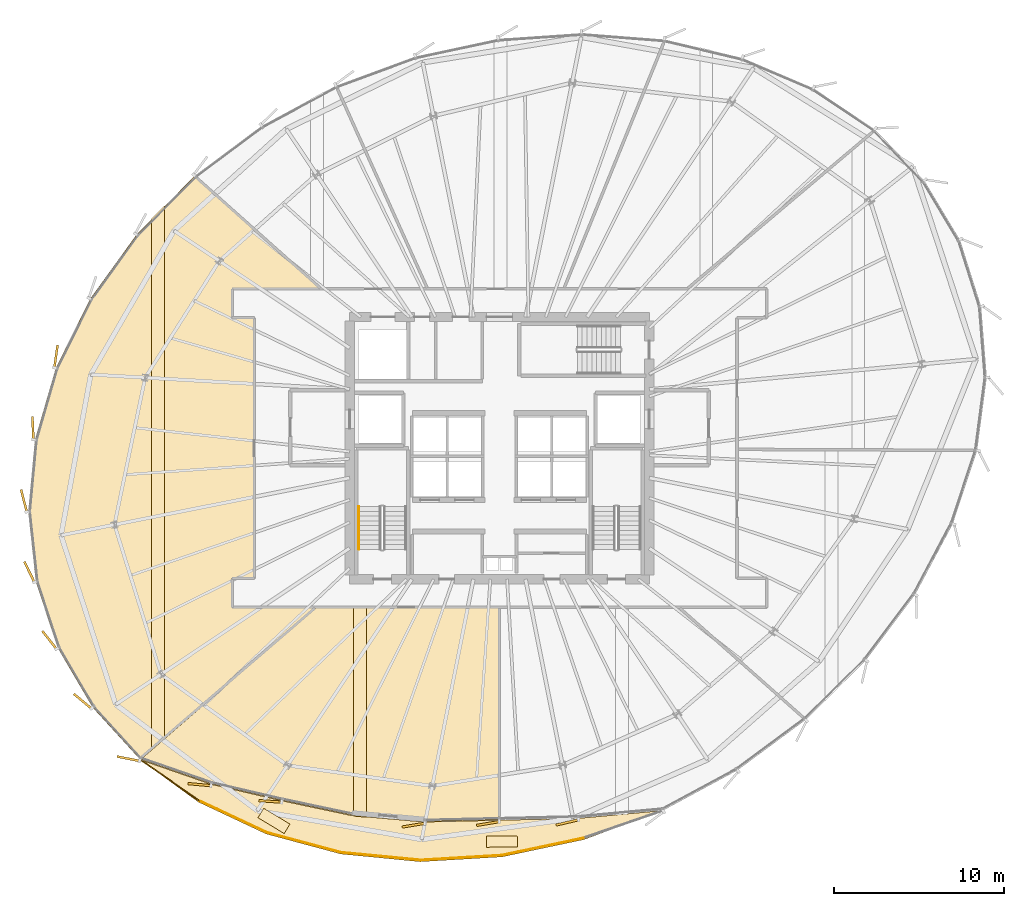
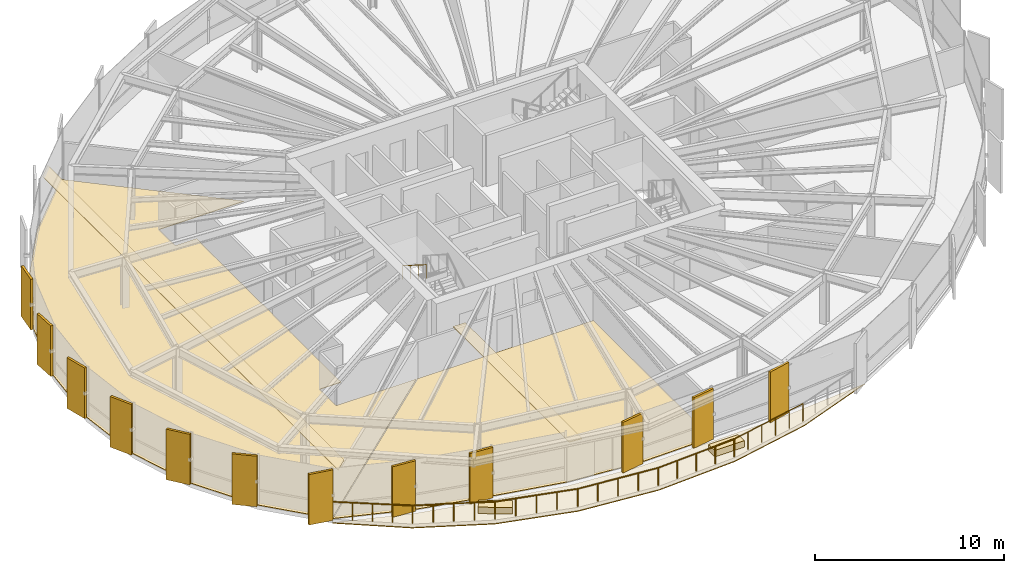
# One storey, part 34 of 37: 19 coverings, 7 railings.
"""IFC4 building model written with IfcOpenShell, lengths in metres."""

from ifc_helpers import new_model, si_unit, direction, frame, origin, origin_2d, place, context, subcontext, project, spatial, polyline, rectangle, circle, outline, extrude, source, transform, mapped, material, layer, layer_set, type_object, element, save


model = new_model("IFC4")

# Units and contexts
model_context = context("Model", 3, precision=1e-05, world=origin(), true_north=direction((0.0, 1.0)))
body_context = subcontext(model_context, "Body", "Model", "MODEL_VIEW")
ifc_project = project(units=[si_unit("LENGTHUNIT", "METRE"), si_unit("AREAUNIT", "SQUARE_METRE"), si_unit("VOLUMEUNIT", "CUBIC_METRE"), si_unit("PLANEANGLEUNIT", "RADIAN"), si_unit("MASSUNIT", "GRAM", prefix="KILO"), si_unit("THERMODYNAMICTEMPERATUREUNIT", "KELVIN")], contexts=[model_context])

# Site, building, storey
site_placement = place(None, origin())
site = spatial("IfcSite", under=ifc_project, at=site_placement, CompositionType="ELEMENT")
building_placement = place(site_placement, origin())
building = spatial("IfcBuilding", under=site, at=building_placement, Name="Kethvar Cultural Tower", CompositionType="ELEMENT")
storey_placement = place(building_placement, frame((0.0, 0.0, 132.35009765625)))
storey = spatial("IfcBuildingStorey", under=building, at=storey_placement, Name="L33", CompositionType="ELEMENT", Elevation=132.35009765625)

# Coverings
ifc_material_1 = material(Name="Acoustic Mineral Fibre Ceiling")
ifc_layer_1 = layer(ifc_material_1, 0.0400390625, Name="Acoustic Mineral Fibre Ceiling")
ifc_layer_set_1 = layer_set([ifc_layer_1], Name="Acoustic Mineral Fibre Ceiling (40 mm)")
covering_type_1 = type_object("IfcCoveringType", Name="CV-ACOUSTIC-CEIL", PredefinedType="CEILING", material=ifc_layer_set_1)
covering_1_placement = place(storey_placement, frame((0.0, 0.0, 2.559814453125)))
element("IfcCovering", 1, at=covering_1_placement, inside=storey, type_object=covering_type_1, Name="L33 Room 01 Acoustic Ceiling Panel", PredefinedType="CEILING", context=body_context, shape_type="SweptSolid", body=[
    extrude(outline(polyline([(38.2265625, 6.189453125), (38.2265625, 18.469970703125), (38.9765625, 18.469970703125), (38.9765625, 6.122802734375), (38.2265625, 6.189453125)])), origin(), (0.0, 0.0, 1.0), 0.0400390625),
])
covering_2_placement = place(storey_placement, frame((0.0, 0.0, 2.559814453125)))
element("IfcCovering", 2, at=covering_2_placement, inside=storey, type_object=covering_type_1, Name="L33 Room 08 Acoustic Ceiling Panel", PredefinedType="CEILING", context=body_context, shape_type="SweptSolid", body=[
    extrude(outline(polyline([(27.1123046875, 42.0322265625), (27.1123046875, 10.71142578125), (26.3623046875, 10.061279296875), (26.3623046875, 41.2763671875), (27.1123046875, 42.0322265625)])), origin(), (0.0, 0.0, 1.0), 0.0400390625),
])
ifc_material_2 = material(Name="Insulated Waterproofing Membrane")
ifc_layer_2 = layer(ifc_material_2, 0.06005859375, Name="Insulated Waterproofing Membrane")
ifc_layer_set_2 = layer_set([ifc_layer_2], Name="Insulated Waterproofing Membrane (60 mm)")
covering_type_2 = type_object("IfcCoveringType", Name="CV-ROOF-MEMB", PredefinedType="ROOFING", material=ifc_layer_set_2)
covering_3_placement = place(storey_placement, frame((0.0, 0.0, -0.275146484375)))
element("IfcCovering", 3, at=covering_3_placement, inside=storey, type_object=covering_type_2, Name="L33 Terrace Waterproofing", PredefinedType="ROOFING", context=body_context, shape_type="SweptSolid", body=[
    extrude(outline(polyline([(25.68701171875, 9.502685546875), (29.118408203125, 7.00341796875), (33.0869140625, 5.13623046875), (37.471923828125, 3.95751953125), (42.140380859375, 3.50341796875), (46.95068359375, 3.78759765625), (51.756103515625, 4.80126953125), (56.4111328125, 6.513671875), (51.43701171875, 6.0537109375), (46.78857421875, 5.943603515625), (42.373779296875, 5.841796875), (38.10791015625, 6.219970703125), (34.0244140625, 7.08447265625), (29.87255859375, 8.052978515625), (25.68701171875, 9.502685546875)])), origin(), (0.0, 0.0, 1.0), 0.06005859375),
])
ifc_material_3 = material(Name="Honed Warm Limestone", Category="masonry")
ifc_layer_3 = layer(ifc_material_3, 0.030029296875, Name="Honed Warm Limestone", Category="masonry")
ifc_layer_set_3 = layer_set([ifc_layer_3], Name="Honed Warm Limestone (30 mm)")
covering_type_3 = type_object("IfcCoveringType", Name="CV-STONE-FLOOR", PredefinedType="FLOORING", material=ifc_layer_set_3)
covering_4_placement = place(storey_placement, origin())
element("IfcCovering", 4, at=covering_4_placement, inside=storey, type_object=covering_type_3, Name="L33 Room 01 Floor Finish", PredefinedType="FLOORING", context=body_context, shape_type="SweptSolid", body=[
    extrude(outline(polyline([(42.37451171875, 5.86181640625), (38.11083984375, 6.23974609375), (34.02880859375, 7.10400390625), (29.878173828125, 8.072265625), (25.726318359375, 9.51025390625), (36.018798828125, 18.429931640625), (46.775146484375, 18.429931640625), (46.7685546875, 5.962890625), (42.37451171875, 5.86181640625)])), origin(), (0.0, 0.0, 1.0), 0.02978515625),
])
covering_5_placement = place(storey_placement, origin())
element("IfcCovering", 5, at=covering_5_placement, inside=storey, type_object=covering_type_3, Name="L33 Room 08 Floor Finish", PredefinedType="FLOORING", context=body_context, shape_type="SweptSolid", body=[
    extrude(outline(polyline([(22.91357421875, 12.569580078125), (20.852294921875, 16.084228515625), (19.5791015625, 19.95458984375), (19.1328125, 24.0634765625), (19.52685546875, 28.285888671875), (20.74951171875, 32.494140625), (22.763916015625, 36.559814453125), (25.5087890625, 40.359375), (28.888427734375, 43.76513671875), (36.275390625, 37.169921875), (31.080078125, 37.14990234375), (31.08447265625, 35.437255859375), (32.3798828125, 35.429931640625), (32.3798828125, 20.169921875), (31.08447265625, 20.16259765625), (31.080810546875, 18.444091796875), (35.957763671875, 18.429931640625), (25.688720703125, 9.530517578125), (22.91357421875, 12.569580078125)])), origin(), (0.0, 0.0, 1.0), 0.02978515625),
])

# Railings
ifc_material_4 = material(Name="Steel S355J2", Category="steel")
railing_type_1 = type_object("IfcRailingType", Name="RL-EXT-GUARD-1150", PredefinedType="BALUSTRADE", material=ifc_material_4)
railing_1_placement = place(storey_placement, frame((25.68701171875, 9.502685546875, 0.0)))
element("IfcRailing", 6, at=railing_1_placement, inside=storey, type_object=railing_type_1, Name="L33 Spiralling Terrace Balustrade 01", PredefinedType="BALUSTRADE", context=body_context, shape_type="SweptSolid", body=[
    extrude(circle(Radius=0.02392578125, at=origin_2d()), frame((0.0, 0.0, 1.1259765625), z_axis=(0.821892477284, -0.569642656218, 0.0), x_axis=(0.569642656218, 0.821892477284, 0.0)), (0.0, 0.0, 1.0), 4.253662109375),
    extrude(circle(Radius=0.02099609375, at=origin_2d()), origin(), (0.0, 0.0, 1.0), 1.101806640625),
    extrude(circle(Radius=0.02099609375, at=origin_2d()), frame((0.8740234375, -0.605712890625, 0.0)), (0.0, 0.0, 1.0), 1.101806640625),
    extrude(circle(Radius=0.02099609375, at=origin_2d()), frame((1.748046875, -1.21142578125, 0.0)), (0.0, 0.0, 1.0), 1.101806640625),
    extrude(circle(Radius=0.02099609375, at=origin_2d()), frame((2.6220703125, -1.8173828125, 0.0)), (0.0, 0.0, 1.0), 1.101806640625),
    extrude(circle(Radius=0.02099609375, at=origin_2d()), frame((3.49609375, -2.423095703125, 0.0)), (0.0, 0.0, 1.0), 1.101806640625),
])
railing_2_placement = place(storey_placement, frame((29.18310546875, 7.07958984375, 0.0)))
element("IfcRailing", 7, at=railing_2_placement, inside=storey, type_object=railing_type_1, Name="L33 Spiralling Terrace Balustrade 02", PredefinedType="BALUSTRADE", context=body_context, shape_type="SweptSolid", body=[
    extrude(circle(Radius=0.02392578125, at=origin_2d()), frame((0.0, 0.0, 1.1259765625), z_axis=(0.905129913262, -0.425135084553, 0.0), x_axis=(0.425135084553, 0.905129913262, 0.0)), (0.0, 0.0, 1.0), 4.3701171875),
    extrude(circle(Radius=0.02099609375, at=origin_2d()), origin(), (0.0, 0.0, 1.0), 1.101806640625),
    extrude(circle(Radius=0.02099609375, at=origin_2d()), frame((0.98876953125, -0.46435546875, 0.0)), (0.0, 0.0, 1.0), 1.101806640625),
    extrude(circle(Radius=0.02099609375, at=origin_2d()), frame((1.977783203125, -0.928955078125, 0.0)), (0.0, 0.0, 1.0), 1.101806640625),
    extrude(circle(Radius=0.02099609375, at=origin_2d()), frame((2.966796875, -1.3935546875, 0.0)), (0.0, 0.0, 1.0), 1.101806640625),
    extrude(circle(Radius=0.02099609375, at=origin_2d()), frame((3.95556640625, -1.85791015625, 0.0)), (0.0, 0.0, 1.0), 1.101806640625),
])
railing_3_placement = place(storey_placement, frame((33.138671875, 5.2216796875, 0.0)))
element("IfcRailing", 8, at=railing_3_placement, inside=storey, type_object=railing_type_1, Name="L33 Spiralling Terrace Balustrade 03", PredefinedType="BALUSTRADE", context=body_context, shape_type="SweptSolid", body=[
    extrude(circle(Radius=0.02392578125, at=origin_2d()), frame((0.0, 0.0, 1.1259765625), z_axis=(0.965922515885, -0.258831399384, 0.0), x_axis=(0.258831399384, 0.965922515885, 0.0)), (0.0, 0.0, 1.0), 4.523681640625),
    extrude(circle(Radius=0.02099609375, at=origin_2d()), origin(), (0.0, 0.0, 1.0), 1.101806640625),
    extrude(circle(Radius=0.02099609375, at=origin_2d()), frame((1.09228515625, -0.292724609375, 0.0)), (0.0, 0.0, 1.0), 1.101806640625),
    extrude(circle(Radius=0.02099609375, at=origin_2d()), frame((2.184814453125, -0.58544921875, 0.0)), (0.0, 0.0, 1.0), 1.101806640625),
    extrude(circle(Radius=0.02099609375, at=origin_2d()), frame((3.27734375, -0.878173828125, 0.0)), (0.0, 0.0, 1.0), 1.101806640625),
    extrude(circle(Radius=0.02099609375, at=origin_2d()), frame((4.36962890625, -1.1708984375, 0.0)), (0.0, 0.0, 1.0), 1.101806640625),
])
railing_4_placement = place(storey_placement, frame((37.50830078125, 4.05078125, 0.0)))
element("IfcRailing", 9, at=railing_4_placement, inside=storey, type_object=railing_type_1, Name="L33 Spiralling Terrace Balustrade 04", PredefinedType="BALUSTRADE", context=body_context, shape_type="SweptSolid", body=[
    extrude(circle(Radius=0.02392578125, at=origin_2d()), frame((0.0, 0.0, 1.1259765625), z_axis=(0.995372771252, -0.09608874154, 0.0), x_axis=(0.09608874154, 0.995372771252, 0.0)), (0.0, 0.0, 1.0), 4.672607421875),
    extrude(circle(Radius=0.02099609375, at=origin_2d()), origin(), (0.0, 0.0, 1.0), 1.101806640625),
    extrude(circle(Radius=0.02099609375, at=origin_2d()), frame((1.16259765625, -0.1123046875, 0.0)), (0.0, 0.0, 1.0), 1.101806640625),
    extrude(circle(Radius=0.02099609375, at=origin_2d()), frame((2.325439453125, -0.224609375, 0.0)), (0.0, 0.0, 1.0), 1.101806640625),
    extrude(circle(Radius=0.02099609375, at=origin_2d()), frame((3.48828125, -0.336669921875, 0.0)), (0.0, 0.0, 1.0), 1.101806640625),
    extrude(circle(Radius=0.02099609375, at=origin_2d()), frame((4.65087890625, -0.448974609375, 0.0)), (0.0, 0.0, 1.0), 1.101806640625),
])
railing_5_placement = place(storey_placement, frame((42.1591796875, 3.601806640625, 0.0)))
element("IfcRailing", 10, at=railing_5_placement, inside=storey, type_object=railing_type_1, Name="L33 Spiralling Terrace Balustrade 05", PredefinedType="BALUSTRADE", context=body_context, shape_type="SweptSolid", body=[
    extrude(circle(Radius=0.02392578125, at=origin_2d()), frame((0.0, 0.0, 1.1259765625), z_axis=(0.998227219927, 0.059518210636, 0.0), x_axis=(-0.059518210636, 0.998227219927, 0.0)), (0.0, 0.0, 1.0), 4.79931640625),
    extrude(circle(Radius=0.02099609375, at=origin_2d()), origin(), (0.0, 0.0, 1.0), 1.101806640625),
    extrude(circle(Radius=0.02099609375, at=origin_2d()), frame((1.19775390625, 0.0712890625, 0.0)), (0.0, 0.0, 1.0), 1.101806640625),
    extrude(circle(Radius=0.02099609375, at=origin_2d()), frame((2.3955078125, 0.142822265625, 0.0)), (0.0, 0.0, 1.0), 1.101806640625),
    extrude(circle(Radius=0.02099609375, at=origin_2d()), frame((3.593017578125, 0.21435546875, 0.0)), (0.0, 0.0, 1.0), 1.101806640625),
    extrude(circle(Radius=0.02099609375, at=origin_2d()), frame((4.790771484375, 0.28564453125, 0.0)), (0.0, 0.0, 1.0), 1.101806640625),
])
railing_6_placement = place(storey_placement, frame((46.949951171875, 3.887451171875, 0.0)))
element("IfcRailing", 11, at=railing_6_placement, inside=storey, type_object=railing_type_1, Name="L33 Spiralling Terrace Balustrade 06", PredefinedType="BALUSTRADE", context=body_context, shape_type="SweptSolid", body=[
    extrude(circle(Radius=0.02392578125, at=origin_2d()), frame((0.0, 0.0, 1.1259765625), z_axis=(0.978381567988, 0.206807899805, 0.0), x_axis=(-0.206807899805, 0.978381567988, 0.0)), (0.0, 0.0, 1.0), 4.890869140625),
    extrude(circle(Radius=0.02099609375, at=origin_2d()), origin(), (0.0, 0.0, 1.0), 1.101806640625),
    extrude(circle(Radius=0.02099609375, at=origin_2d()), frame((0.95703125, 0.202392578125, 0.0)), (0.0, 0.0, 1.0), 1.101806640625),
    extrude(circle(Radius=0.02099609375, at=origin_2d()), frame((1.9140625, 0.404541015625, 0.0)), (0.0, 0.0, 1.0), 1.101806640625),
    extrude(circle(Radius=0.02099609375, at=origin_2d()), frame((2.87109375, 0.60693359375, 0.0)), (0.0, 0.0, 1.0), 1.101806640625),
    extrude(circle(Radius=0.02099609375, at=origin_2d()), frame((3.828125, 0.80908203125, 0.0)), (0.0, 0.0, 1.0), 1.101806640625),
    extrude(circle(Radius=0.02099609375, at=origin_2d()), frame((4.78515625, 1.011474609375, 0.0)), (0.0, 0.0, 1.0), 1.101806640625),
])
railing_type_2 = type_object("IfcRailingType", Name="RL-STAIR-HANDRAIL", PredefinedType="HANDRAIL", material=ifc_material_4)
railing_7_placement = place(storey_placement, frame((38.5400390625, 24.3701171875, 1.952392578125)))
element("IfcRailing", 12, at=railing_7_placement, inside=storey, type_object=railing_type_2, Name="L33 ST-01 stair handrail 2", PredefinedType="HANDRAIL", context=body_context, shape_type="SweptSolid", body=[
    extrude(circle(Radius=0.02392578125, at=origin_2d()), frame((0.0, 0.0, 0.8759765625), z_axis=(0.0, -0.84460694969, 0.535386869969), x_axis=(1.0, 0.0, 0.0)), (0.0, 0.0, 1.0), 2.983642578125),
    extrude(circle(Radius=0.02099609375, at=origin_2d()), origin(), (0.0, 0.0, 1.0), 0.851806640625),
    extrude(circle(Radius=0.02099609375, at=origin_2d()), frame((0.0, -0.840087890625, 0.532470703125)), (0.0, 0.0, 1.0), 0.851806640625),
    extrude(circle(Radius=0.02099609375, at=origin_2d()), frame((0.0, -1.679931640625, 1.06494140625)), (0.0, 0.0, 1.0), 0.851806640625),
    extrude(circle(Radius=0.02099609375, at=origin_2d()), frame((0.0, -2.52001953125, 1.597412109375)), (0.0, 0.0, 1.0), 0.851806640625),
])

# Coverings
ifc_material_5 = material(Name="Extruded Architectural Terracotta", Category="masonry")
ifc_layer_4 = layer(ifc_material_5, 0.419921875, Name="Extruded Architectural Terracotta", Category="masonry")
ifc_layer_set_4 = layer_set([ifc_layer_4], Name="Extruded Architectural Terracotta (420 mm)")
covering_type_4 = type_object("IfcCoveringType", Name="Terracotta Terrace Planter PLANTER-01", PredefinedType="USERDEFINED", material=ifc_layer_set_4)
shared_shape_1 = source(origin(), body_context, "Body", "SweptSolid", [
    extrude(rectangle(XDim=1.800048828125, YDim=0.64990234375, at=origin_2d()), origin(), (0.0, 0.0, 1.0), 0.419921875),
])
for number, where, z_axis, x_axis, name in (
    (13, (33.552734375, 5.90625, 0.0), (0.0, 0.0, 1.0), (0.855545033584, -0.517728399366, 0.0), "L33 Sky Terrace Planter Box A"),
    (14, (46.945068359375, 4.6875, 0.0), (0.0, 0.0, 1.0), (0.999980260856, 0.006283143966, 0.0), "L33 Sky Terrace Planter Box B"),
):
    element("IfcCovering", number, at=place(storey_placement, frame(where, z_axis=z_axis, x_axis=x_axis)), inside=storey, type_object=covering_type_4, Name=name, ObjectType="PLANTER", PredefinedType="USERDEFINED", context=body_context, shape_type="MappedRepresentation", body=[
        mapped(shared_shape_1, transform((0.0, 0.0, 0.0), scale=1.0)),
    ])
ifc_layer_5 = layer(ifc_material_5, 0.135009765625, Name="Extruded Architectural Terracotta", Category="masonry")
ifc_layer_set_5 = layer_set([ifc_layer_5], Name="Extruded Architectural Terracotta (135 mm)")
covering_type_5 = type_object("IfcCoveringType", Name="Terracotta Facade Fin FIN-02", PredefinedType="CLADDING", material=ifc_layer_set_5)
shared_shape_2 = source(origin(), body_context, "Body", "SweptSolid", [
    extrude(rectangle(XDim=1.35009765625, YDim=0.135009765625, at=origin_2d()), origin(), (0.0, 0.0, 1.0), 3.260009765625),
])
for number, where, z_axis, x_axis, name in (
    (15, (20.750244140625, 33.19189453125, 0.02001953125), (0.0, 0.0, 1.0), (0.142628933706, 0.989776230908, 0.0), "L33 Vertical Terracotta Fin 3.3"),
    (16, (19.39599609375, 28.971435546875, 0.02001953125), (0.0, 0.0, 1.0), (-0.046583426761, 0.998914402915, 0.0), "L33 Vertical Terracotta Fin 3.4"),
    (17, (18.86767578125, 24.708984375, 0.02001953125), (0.0, 0.0, 1.0), (-0.245307385879, 0.969445349895, 0.0), "L33 Vertical Terracotta Fin 3.5"),
    (18, (19.185302734375, 20.531005859375, 0.02001953125), (0.0, 0.0, 1.0), (-0.441662447194, 0.897181298701, 0.0), "L33 Vertical Terracotta Fin 3.6"),
    (19, (20.365478515625, 16.53076171875, 0.02001953125), (0.0, 0.0, 1.0), (-0.621010990507, 0.783801856128, 0.0), "L33 Vertical Terracotta Fin 4.1"),
    (20, (22.318115234375, 12.93408203125, 0.02001953125), (0.0, 0.0, 1.0), (-0.770513242776, 0.637423989749, 0.0), "L33 Vertical Terracotta Fin 4.2"),
    (21, (24.99853515625, 9.556884765625, 0.02001953125), (0.0, 0.0, 1.0), (-0.981292663992, 0.192521966526, 0.0), "L33 Vertical Terracotta Fin 4.3"),
    (22, (29.181884765625, 8.035400390625, 0.02001953125), (0.0, 0.0, 1.0), (-0.995994383933, 0.089415810539, 0.0), "L33 Vertical Terracotta Fin 4.4"),
    (23, (33.33447265625, 7.052490234375, 0.02001953125), (0.0, 0.0, 1.0), (-0.997624544415, 0.068885908434, 0.0), "L33 Vertical Terracotta Fin 4.5"),
    (24, (41.748779296875, 5.653564453125, 0.02001953125), (0.0, 0.0, 1.0), (-0.98679924591, -0.161948288881, 0.0), "L33 Vertical Terracotta Fin 5.1"),
    (25, (46.12451171875, 5.75390625, 0.02001953125), (0.0, 0.0, 1.0), (-0.986685944208, -0.162637165195, 0.0), "L33 Vertical Terracotta Fin 5.2"),
    (26, (50.787353515625, 5.819091796875, 0.02001953125), (0.0, 0.0, 1.0), (-0.973259115993, -0.229710019669, 0.0), "L33 Vertical Terracotta Fin 5.3"),
):
    element("IfcCovering", number, at=place(storey_placement, frame(where, z_axis=z_axis, x_axis=x_axis)), inside=storey, type_object=covering_type_5, Name=name, PredefinedType="CLADDING", context=body_context, shape_type="MappedRepresentation", body=[
        mapped(shared_shape_2, transform((0.0, 0.0, 0.0), scale=1.0)),
    ])

save(model, "model.ifc")
